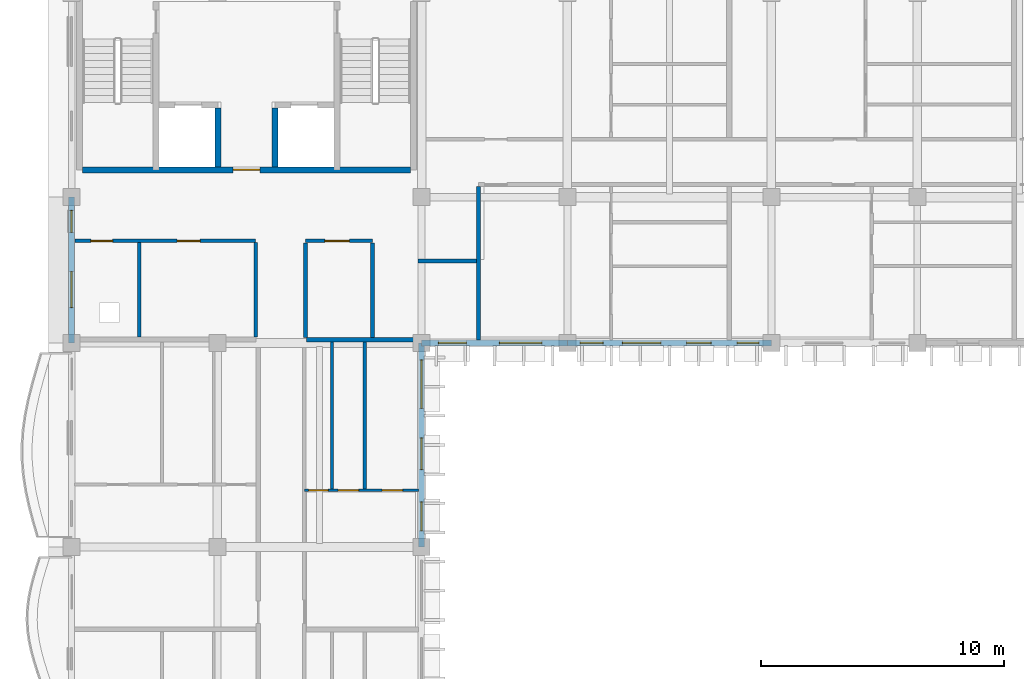
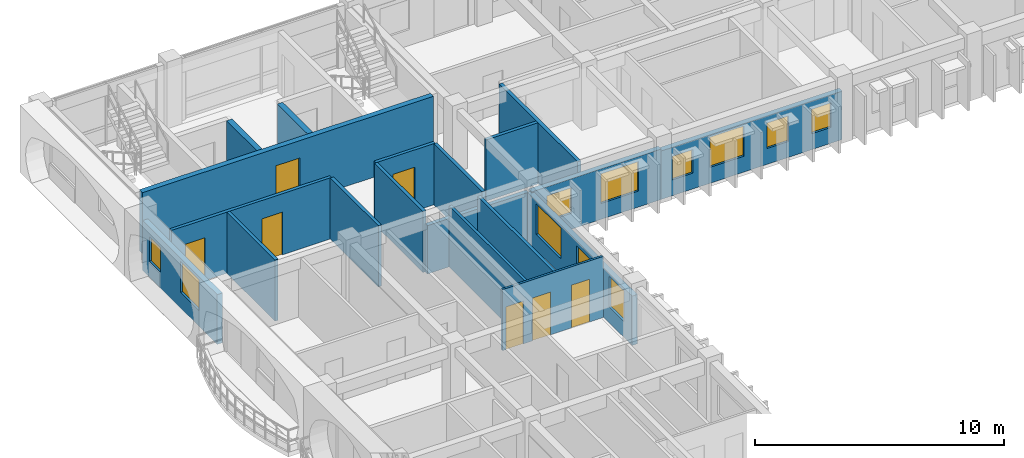
# One storey, part 50 of 101: 19 walls, 11 windows, 7 doors, 18 openings.
"""IFC4 building model written with IfcOpenShell, lengths in metres."""

from ifc_helpers import new_model, si_unit, direction, frame, frame_2d, origin, place, context, subcontext, project, spatial, rectangle, extrude, material, layer, layer_set, type_object, element, fill, save


model = new_model("IFC4")

# Units and contexts
model_context = context("Model", 3, precision=1e-05, world=origin(), true_north=direction((0.0, 1.0)))
body_context = subcontext(model_context, "Body", "Model", "MODEL_VIEW")
ifc_project = project(units=[si_unit("LENGTHUNIT", "METRE"), si_unit("AREAUNIT", "SQUARE_METRE"), si_unit("VOLUMEUNIT", "CUBIC_METRE"), si_unit("PLANEANGLEUNIT", "RADIAN"), si_unit("MASSUNIT", "GRAM", prefix="KILO"), si_unit("THERMODYNAMICTEMPERATUREUNIT", "KELVIN")], contexts=[model_context])

# Site, building, storey
site_placement = place(None, origin())
site = spatial("IfcSite", under=ifc_project, at=site_placement, CompositionType="ELEMENT")
building_placement = place(site_placement, origin())
building = spatial("IfcBuilding", under=site, at=building_placement, Name="Thalorik Housing Commons", CompositionType="ELEMENT")
storey_placement = place(building_placement, frame((0.0, 0.0, 8.10009765625)))
storey = spatial("IfcBuildingStorey", under=building, at=storey_placement, Name="L02", CompositionType="ELEMENT", Elevation=8.10009765625)

# Walls
ifc_material_1 = material(Name="Concrete C40/50", Category="concrete")
ifc_layer_1 = layer(ifc_material_1, 0.25, Name="Concrete C40/50", Category="concrete")
ifc_layer_set_1 = layer_set([ifc_layer_1], Name="Concrete C40/50")
wall_type_1 = type_object("IfcWallType", Name="ARC-WAL-CORE-250", PredefinedType="SHEAR", material=ifc_layer_set_1)
for number, where, z_axis, x_axis, name in (
    (1, (14.425048828125, 118.875, 0.0), (0.0, 0.0, 1.0), (0.0, -1.0, 0.0), "L02 Lift 1 Cheek Wall"),
    (2, (16.77490234375, 118.875, 0.0), (0.0, 0.0, 1.0), (0.0, -1.0, 0.0), "L02 Lift 2 Cheek Wall"),
):
    element("IfcWall", number, at=place(storey_placement, frame(where, z_axis=z_axis, x_axis=x_axis)), inside=storey, type_object=wall_type_1, Name=name, PredefinedType="SHEAR", context=body_context, shape_type="SweptSolid", body=[
        extrude(rectangle(XDim=2.425048828125, YDim=0.25, at=frame_2d((1.21240234375, 0.0))), origin(), (0.0, 0.0, 1.0), 3.0),
    ])

# Wall, opening, door
wall_1_placement = place(storey_placement, frame((8.85009765625, 116.324951171875, 0.0), z_axis=(0.0, 0.0, 1.0), x_axis=(1.0, 0.0, 0.0)))
wall_1 = element("IfcWall", 3, at=wall_1_placement, inside=storey, type_object=wall_type_1, Name="L02 Core A Spine Shear Wall", PredefinedType="SHEAR", context=body_context, shape_type="SweptSolid", body=[
    extrude(rectangle(XDim=13.5, YDim=0.25, at=frame_2d((6.75, 0.0))), origin(), (0.0, 0.0, 1.0), 3.0),
])
opening_1_placement = place(wall_1_placement, frame((6.199951171875, 0.0, 0.0)))
opening_1 = element("IfcOpeningElement", 4, at=opening_1_placement, cuts=wall_1, Name="Opening ID-0029", PredefinedType="OPENING", context=body_context, shape_type="SweptSolid", body=[
    extrude(rectangle(XDim=1.10009765625, YDim=2.14990234375, at=frame_2d((0.550048828125, 1.074951171875))), frame((0.0, 0.135009765625, 0.0), z_axis=(0.0, -1.0, 0.0), x_axis=(1.0, 0.0, 0.0)), (0.0, 0.0, 1.0), 0.27001953125),
])
ifc_material_2 = material(Name="Steel S355", Category="steel")
door_type_1 = type_object("IfcDoorType", Name="ARC-DR-FD60-1100", OperationType="NOTDEFINED", PredefinedType="DOOR", material=ifc_material_2)
door_1_placement = place(opening_1_placement, origin())
door_1 = element("IfcDoor", 5, at=door_1_placement, inside=storey, type_object=door_type_1, Name="L02 Core A Lobby Fire Door", OperationType="SINGLE_SWING_RIGHT", OverallHeight=2.14990234375, OverallWidth=1.10009765625, PredefinedType="DOOR", context=body_context, shape_type="SweptSolid", body=[
    extrude(rectangle(XDim=1.10009765625, YDim=2.14990234375, at=frame_2d((0.550048828125, 1.074951171875))), frame((0.0, 0.02490234375, 0.0), z_axis=(0.0, -1.0, 0.0), x_axis=(1.0, 0.0, 0.0)), (0.0, 0.0, 1.0), 0.050048828125),
])
fill(opening_1, door_1)

# Walls
ifc_material_3 = material(Name="Masonry fire-rated corridor wall", Category="masonry")
ifc_layer_2 = layer(ifc_material_3, 0.14990234375, Name="Masonry fire-rated corridor wall", Category="masonry")
ifc_layer_set_2 = layer_set([ifc_layer_2], Name="Masonry fire-rated corridor wall")
wall_type_2 = type_object("IfcWallType", Name="ARC-WAL-CORR-150", PredefinedType="PARTITIONING", material=ifc_layer_set_2)
wall_2_placement = place(storey_placement, frame((22.659912109375, 112.570068359375, 0.0), z_axis=(0.0, 0.0, 1.0), x_axis=(1.0, 0.0, 0.0)))
element("IfcWall", 6, at=wall_2_placement, inside=storey, type_object=wall_type_2, Name="L02 Block A Vestibule South Wall", PredefinedType="PARTITIONING", context=body_context, shape_type="SweptSolid", body=[
    extrude(rectangle(XDim=2.405517578125, YDim=0.14990234375, at=frame_2d((1.20263671875, 0.0))), origin(), (0.0, 0.0, 1.0), 3.0),
])
ifc_layer_3 = layer(ifc_material_3, 0.1650390625, Name="Masonry fire-rated corridor wall", Category="masonry")
ifc_layer_set_3 = layer_set([ifc_layer_3], Name="Masonry fire-rated corridor wall")
wall_type_3 = type_object("IfcWallType", Name="ARC-WAL-CORR-165", PredefinedType="PARTITIONING", material=ifc_layer_set_3)
wall_3_placement = place(storey_placement, frame((25.14990234375, 109.324462890625, 0.0), z_axis=(0.0, 0.0, 1.0), x_axis=(0.0, 1.0, 0.0)))
element("IfcWall", 7, at=wall_3_placement, inside=storey, type_object=wall_type_3, Name="L02 Block A Vestibule Cheek Wall", PredefinedType="PARTITIONING", context=body_context, shape_type="SweptSolid", body=[
    extrude(rectangle(XDim=6.31103515625, YDim=0.1650390625, at=frame_2d((3.155517578125, 0.0))), origin(), (0.0, 0.0, 1.0), 3.0),
])

# Wall, openings, windows
ifc_material_4 = material(Name="White precast concrete C40/50", Category="concrete")
ifc_layer_4 = layer(ifc_material_4, 0.2451171875, Name="White precast concrete C40/50", Category="concrete")
ifc_layer_set_4 = layer_set([ifc_layer_4], Name="White precast concrete C40/50")
wall_type_4 = type_object("IfcWallType", Name="ARC-WAL-EXT-245", PredefinedType="STANDARD", material=ifc_layer_set_4)
wall_4_placement = place(storey_placement, frame((22.800048828125, 109.199951171875, 0.0), z_axis=(0.0, 0.0, 1.0), x_axis=(1.0, 0.0, 0.0)))
wall_4 = element("IfcWall", 8, at=wall_4_placement, inside=storey, type_object=wall_type_4, Name="L02 Exterior Wall WAL-EXT-L02-A-0057", PredefinedType="STANDARD", context=body_context, shape_type="SweptSolid", body=[
    extrude(rectangle(XDim=6.0, YDim=0.2451171875, at=frame_2d((3.0, 0.0))), origin(), (0.0, 0.0, 1.0), 2.474853515625),
])
opening_2_placement = place(wall_4_placement, frame((0.695068359375, 0.0, 0.780029296875)))
opening_2 = element("IfcOpeningElement", 9, at=opening_2_placement, cuts=wall_4, Name="Opening W-45", PredefinedType="OPENING", context=body_context, shape_type="SweptSolid", body=[
    extrude(rectangle(XDim=1.14990234375, YDim=1.25, at=frame_2d((0.574951171875, 0.625))), frame((0.0, 0.132568359375, 0.0), z_axis=(0.0, -1.0, 0.0), x_axis=(1.0, 0.0, 0.0)), (0.0, 0.0, 1.0), 0.26513671875),
])
opening_3_placement = place(wall_4_placement, frame((3.205078125, 0.0, 0.780029296875)))
opening_3 = element("IfcOpeningElement", 10, at=opening_3_placement, cuts=wall_4, Name="Opening W-17", PredefinedType="OPENING", context=body_context, shape_type="SweptSolid", body=[
    extrude(rectangle(XDim=1.75, YDim=1.449951171875, at=frame_2d((0.875, 0.72509765625))), frame((0.0, 0.132568359375, 0.0), z_axis=(0.0, -1.0, 0.0), x_axis=(1.0, 0.0, 0.0)), (0.0, 0.0, 1.0), 0.26513671875),
])
ifc_material_5 = material(Name="Anodised aluminium and solar-control low-E glass", Category="aluminium")
window_type_1 = type_object("IfcWindowType", Name="ARC-WIN-17", PartitioningType="DOUBLE_PANEL_VERTICAL", PredefinedType="WINDOW", material=ifc_material_5)
window_1_placement = place(opening_3_placement, origin())
window_1 = element("IfcWindow", 11, at=window_1_placement, inside=storey, type_object=window_type_1, Name="L02 Facade Window 96", OverallHeight=1.449951171875, OverallWidth=1.75, PartitioningType="DOUBLE_PANEL_VERTICAL", PredefinedType="WINDOW", context=body_context, shape_type="SweptSolid", body=[
    extrude(rectangle(XDim=1.75, YDim=1.449951171875, at=frame_2d((0.875, 0.72509765625))), frame((0.0, 0.030029296875, 0.0), z_axis=(0.0, -1.0, 0.0), x_axis=(1.0, 0.0, 0.0)), (0.0, 0.0, 1.0), 0.06005859375),
])
fill(opening_3, window_1)
window_type_2 = type_object("IfcWindowType", Name="ARC-WIN-45", PartitioningType="SINGLE_PANEL", PredefinedType="WINDOW", material=ifc_material_5)
window_2_placement = place(opening_2_placement, origin())
window_2 = element("IfcWindow", 12, at=window_2_placement, inside=storey, type_object=window_type_2, Name="L02 Facade Window 95", OverallHeight=1.25, OverallWidth=1.14990234375, PartitioningType="SINGLE_PANEL", PredefinedType="WINDOW", context=body_context, shape_type="SweptSolid", body=[
    extrude(rectangle(XDim=1.14990234375, YDim=1.25, at=frame_2d((0.574951171875, 0.625))), frame((0.0, 0.030029296875, 0.0), z_axis=(0.0, -1.0, 0.0), x_axis=(1.0, 0.0, 0.0)), (0.0, 0.0, 1.0), 0.06005859375),
])
fill(opening_2, window_2)

wall_5_placement = place(storey_placement, frame((28.800048828125, 109.199951171875, 0.0), z_axis=(0.0, 0.0, 1.0), x_axis=(1.0, 0.0, 0.0)))
wall_5 = element("IfcWall", 13, at=wall_5_placement, inside=storey, type_object=wall_type_4, Name="L02 Exterior Wall WAL-EXT-L02-A-0058", PredefinedType="STANDARD", context=body_context, shape_type="SweptSolid", body=[
    extrude(rectangle(XDim=8.39990234375, YDim=0.2451171875, at=frame_2d((4.199951171875, 0.0))), origin(), (0.0, 0.0, 1.0), 2.375),
])
opening_4_placement = place(wall_5_placement, frame((0.5224609375, 0.0, 0.780029296875)))
opening_4 = element("IfcOpeningElement", 14, at=opening_4_placement, cuts=wall_5, Name="Opening W-43", PredefinedType="OPENING", context=body_context, shape_type="SweptSolid", body=[
    extrude(rectangle(XDim=0.949951171875, YDim=1.14990234375, at=frame_2d((0.47509765625, 0.574951171875))), frame((0.0, 0.132568359375, 0.0), z_axis=(0.0, -1.0, 0.0), x_axis=(1.0, 0.0, 0.0)), (0.0, 0.0, 1.0), 0.26513671875),
])
opening_5_placement = place(wall_5_placement, frame((2.263671875, 0.0, 0.780029296875)))
opening_5 = element("IfcOpeningElement", 15, at=opening_5_placement, cuts=wall_5, Name="Opening W-53", PredefinedType="OPENING", context=body_context, shape_type="SweptSolid", body=[
    extrude(rectangle(XDim=1.580078125, YDim=1.47998046875, at=frame_2d((0.7900390625, 0.739990234375))), frame((0.0, 0.132568359375, 0.0), z_axis=(0.0, -1.0, 0.0), x_axis=(1.0, 0.0, 0.0)), (0.0, 0.0, 1.0), 0.26513671875),
])
opening_6_placement = place(wall_5_placement, frame((4.9111328125, 0.0, 0.780029296875)))
opening_6 = element("IfcOpeningElement", 16, at=opening_6_placement, cuts=wall_5, Name="Opening W-02", PredefinedType="OPENING", context=body_context, shape_type="SweptSolid", body=[
    extrude(rectangle(XDim=1.0, YDim=1.25, at=frame_2d((0.5, 0.625))), frame((0.0, 0.132568359375, 0.0), z_axis=(0.0, -1.0, 0.0), x_axis=(1.0, 0.0, 0.0)), (0.0, 0.0, 1.0), 0.26513671875),
])
opening_7_placement = place(wall_5_placement, frame((6.985107421875, 0.0, 0.780029296875)))
opening_7 = element("IfcOpeningElement", 17, at=opening_7_placement, cuts=wall_5, Name="Opening W-01", PredefinedType="OPENING", context=body_context, shape_type="SweptSolid", body=[
    extrude(rectangle(XDim=0.89990234375, YDim=1.199951171875, at=frame_2d((0.449951171875, 0.60009765625))), frame((0.0, 0.132568359375, 0.0), z_axis=(0.0, -1.0, 0.0), x_axis=(1.0, 0.0, 0.0)), (0.0, 0.0, 1.0), 0.26513671875),
])
window_type_3 = type_object("IfcWindowType", Name="ARC-WIN-01", PartitioningType="SINGLE_PANEL", PredefinedType="WINDOW", material=ifc_material_5)
window_3_placement = place(opening_7_placement, origin())
window_3 = element("IfcWindow", 18, at=window_3_placement, inside=storey, type_object=window_type_3, Name="L02 Facade Window 100", OverallHeight=1.199951171875, OverallWidth=0.89990234375, PartitioningType="SINGLE_PANEL", PredefinedType="WINDOW", context=body_context, shape_type="SweptSolid", body=[
    extrude(rectangle(XDim=0.89990234375, YDim=1.199951171875, at=frame_2d((0.449951171875, 0.60009765625))), frame((0.0, 0.030029296875, 0.0), z_axis=(0.0, -1.0, 0.0), x_axis=(1.0, 0.0, 0.0)), (0.0, 0.0, 1.0), 0.06005859375),
])
fill(opening_7, window_3)
window_type_4 = type_object("IfcWindowType", Name="ARC-WIN-02", PartitioningType="SINGLE_PANEL", PredefinedType="WINDOW", material=ifc_material_5)
window_4_placement = place(opening_6_placement, origin())
window_4 = element("IfcWindow", 19, at=window_4_placement, inside=storey, type_object=window_type_4, Name="L02 Facade Window 99", OverallHeight=1.25, OverallWidth=1.0, PartitioningType="SINGLE_PANEL", PredefinedType="WINDOW", context=body_context, shape_type="SweptSolid", body=[
    extrude(rectangle(XDim=1.0, YDim=1.25, at=frame_2d((0.5, 0.625))), frame((0.0, 0.030029296875, 0.0), z_axis=(0.0, -1.0, 0.0), x_axis=(1.0, 0.0, 0.0)), (0.0, 0.0, 1.0), 0.06005859375),
])
fill(opening_6, window_4)
window_type_5 = type_object("IfcWindowType", Name="ARC-WIN-43", PartitioningType="SINGLE_PANEL", PredefinedType="WINDOW", material=ifc_material_5)
window_5_placement = place(opening_4_placement, origin())
window_5 = element("IfcWindow", 20, at=window_5_placement, inside=storey, type_object=window_type_5, Name="L02 Facade Window 97", OverallHeight=1.14990234375, OverallWidth=0.949951171875, PartitioningType="SINGLE_PANEL", PredefinedType="WINDOW", context=body_context, shape_type="SweptSolid", body=[
    extrude(rectangle(XDim=0.949951171875, YDim=1.14990234375, at=frame_2d((0.47509765625, 0.574951171875))), frame((0.0, 0.030029296875, 0.0), z_axis=(0.0, -1.0, 0.0), x_axis=(1.0, 0.0, 0.0)), (0.0, 0.0, 1.0), 0.06005859375),
])
fill(opening_4, window_5)
window_type_6 = type_object("IfcWindowType", Name="ARC-WIN-53", PartitioningType="SINGLE_PANEL", PredefinedType="WINDOW", material=ifc_material_5)
window_6_placement = place(opening_5_placement, origin())
window_6 = element("IfcWindow", 21, at=window_6_placement, inside=storey, type_object=window_type_6, Name="L02 Facade Window 98", OverallHeight=1.47998046875, OverallWidth=1.580078125, PartitioningType="SINGLE_PANEL", PredefinedType="WINDOW", context=body_context, shape_type="SweptSolid", body=[
    extrude(rectangle(XDim=1.580078125, YDim=1.47998046875, at=frame_2d((0.7900390625, 0.739990234375))), frame((0.0, 0.030029296875, 0.0), z_axis=(0.0, -1.0, 0.0), x_axis=(1.0, 0.0, 0.0)), (0.0, 0.0, 1.0), 0.06005859375),
])
fill(opening_5, window_6)

wall_6_placement = place(storey_placement, frame((8.39990234375, 115.199951171875, 0.0), z_axis=(0.0, 0.0, 1.0), x_axis=(0.0, -1.0, 0.0)))
wall_6 = element("IfcWall", 22, at=wall_6_placement, inside=storey, type_object=wall_type_4, Name="L02 Exterior Wall WAL-EXT-L02-A-0072", PredefinedType="STANDARD", context=body_context, shape_type="SweptSolid", body=[
    extrude(rectangle(XDim=6.0, YDim=0.2451171875, at=frame_2d((3.0, 0.0))), origin(), (0.0, 0.0, 1.0), 2.44482421875),
])
opening_8_placement = place(wall_6_placement, frame((0.544921875, 0.0, 0.780029296875)))
opening_8 = element("IfcOpeningElement", 23, at=opening_8_placement, cuts=wall_6, Name="Opening W-01", PredefinedType="OPENING", context=body_context, shape_type="SweptSolid", body=[
    extrude(rectangle(XDim=0.89990234375, YDim=1.199951171875, at=frame_2d((0.449951171875, 0.60009765625))), frame((0.0, 0.132568359375, 0.0), z_axis=(0.0, -1.0, 0.0), x_axis=(1.0, 0.0, 0.0)), (0.0, 0.0, 1.0), 0.26513671875),
])
opening_9_placement = place(wall_6_placement, frame((3.06494140625, 0.0, 0.780029296875)))
opening_9 = element("IfcOpeningElement", 24, at=opening_9_placement, cuts=wall_6, Name="Opening W-51", PredefinedType="OPENING", context=body_context, shape_type="SweptSolid", body=[
    extrude(rectangle(XDim=1.47998046875, YDim=1.52001953125, at=frame_2d((0.739990234375, 0.760009765625))), frame((0.0, 0.132568359375, 0.0), z_axis=(0.0, -1.0, 0.0), x_axis=(1.0, 0.0, 0.0)), (0.0, 0.0, 1.0), 0.26513671875),
])
window_7_placement = place(opening_8_placement, origin())
window_7 = element("IfcWindow", 25, at=window_7_placement, inside=storey, type_object=window_type_3, Name="L02 Facade Window 124", OverallHeight=1.199951171875, OverallWidth=0.89990234375, PartitioningType="SINGLE_PANEL", PredefinedType="WINDOW", context=body_context, shape_type="SweptSolid", body=[
    extrude(rectangle(XDim=0.89990234375, YDim=1.199951171875, at=frame_2d((0.449951171875, 0.60009765625))), frame((0.0, 0.030029296875, 0.0), z_axis=(0.0, -1.0, 0.0), x_axis=(1.0, 0.0, 0.0)), (0.0, 0.0, 1.0), 0.06005859375),
])
fill(opening_8, window_7)
window_type_7 = type_object("IfcWindowType", Name="ARC-WIN-51", PartitioningType="SINGLE_PANEL", PredefinedType="WINDOW", material=ifc_material_5)
window_8_placement = place(opening_9_placement, origin())
window_8 = element("IfcWindow", 26, at=window_8_placement, inside=storey, type_object=window_type_7, Name="L02 Facade Window 125", OverallHeight=1.52001953125, OverallWidth=1.47998046875, PartitioningType="SINGLE_PANEL", PredefinedType="WINDOW", context=body_context, shape_type="SweptSolid", body=[
    extrude(rectangle(XDim=1.47998046875, YDim=1.52001953125, at=frame_2d((0.739990234375, 0.760009765625))), frame((0.0, 0.030029296875, 0.0), z_axis=(0.0, -1.0, 0.0), x_axis=(1.0, 0.0, 0.0)), (0.0, 0.0, 1.0), 0.06005859375),
])
fill(opening_9, window_8)

wall_7_placement = place(storey_placement, frame((22.800048828125, 100.800048828125, 0.0), z_axis=(0.0, 0.0, 1.0), x_axis=(0.0, 1.0, 0.0)))
wall_7 = element("IfcWall", 27, at=wall_7_placement, inside=storey, type_object=wall_type_4, Name="L02 Exterior Wall WAL-EXT-L02-A-0084", PredefinedType="STANDARD", context=body_context, shape_type="SweptSolid", body=[
    extrude(rectangle(XDim=8.39990234375, YDim=0.2451171875, at=frame_2d((4.199951171875, 0.0))), origin(), (0.0, 0.0, 1.0), 2.4248046875),
])
opening_10_placement = place(wall_7_placement, frame((0.6630859375, 0.0, 0.780029296875)))
opening_10 = element("IfcOpeningElement", 28, at=opening_10_placement, cuts=wall_7, Name="Opening W-05", PredefinedType="OPENING", context=body_context, shape_type="SweptSolid", body=[
    extrude(rectangle(XDim=1.199951171875, YDim=1.5, at=frame_2d((0.60009765625, 0.75))), frame((0.0, 0.132568359375, 0.0), z_axis=(0.0, -1.0, 0.0), x_axis=(1.0, 0.0, 0.0)), (0.0, 0.0, 1.0), 0.26513671875),
])
opening_11_placement = place(wall_7_placement, frame((3.189697265625, 0.0, 0.780029296875)))
opening_11 = element("IfcOpeningElement", 29, at=opening_11_placement, cuts=wall_7, Name="Opening W-06", PredefinedType="OPENING", context=body_context, shape_type="SweptSolid", body=[
    extrude(rectangle(XDim=1.300048828125, YDim=1.39990234375, at=frame_2d((0.64990234375, 0.699951171875))), frame((0.0, 0.132568359375, 0.0), z_axis=(0.0, -1.0, 0.0), x_axis=(1.0, 0.0, 0.0)), (0.0, 0.0, 1.0), 0.26513671875),
])
opening_12_placement = place(wall_7_placement, frame((5.70654296875, 0.0, 0.780029296875)))
opening_12 = element("IfcOpeningElement", 30, at=opening_12_placement, cuts=wall_7, Name="Opening W-23", PredefinedType="OPENING", context=body_context, shape_type="SweptSolid", body=[
    extrude(rectangle(XDim=2.0, YDim=1.5, at=frame_2d((1.0, 0.75))), frame((0.0, 0.132568359375, 0.0), z_axis=(0.0, -1.0, 0.0), x_axis=(1.0, 0.0, 0.0)), (0.0, 0.0, 1.0), 0.26513671875),
])
window_type_8 = type_object("IfcWindowType", Name="ARC-WIN-05", PartitioningType="SINGLE_PANEL", PredefinedType="WINDOW", material=ifc_material_5)
window_9_placement = place(opening_10_placement, origin())
window_9 = element("IfcWindow", 31, at=window_9_placement, inside=storey, type_object=window_type_8, Name="L02 Facade Window 150", OverallHeight=1.5, OverallWidth=1.199951171875, PartitioningType="SINGLE_PANEL", PredefinedType="WINDOW", context=body_context, shape_type="SweptSolid", body=[
    extrude(rectangle(XDim=1.199951171875, YDim=1.5, at=frame_2d((0.60009765625, 0.75))), frame((0.0, 0.030029296875, 0.0), z_axis=(0.0, -1.0, 0.0), x_axis=(1.0, 0.0, 0.0)), (0.0, 0.0, 1.0), 0.06005859375),
])
fill(opening_10, window_9)
window_type_9 = type_object("IfcWindowType", Name="ARC-WIN-06", PartitioningType="SINGLE_PANEL", PredefinedType="WINDOW", material=ifc_material_5)
window_10_placement = place(opening_11_placement, origin())
window_10 = element("IfcWindow", 32, at=window_10_placement, inside=storey, type_object=window_type_9, Name="L02 Facade Window 151", OverallHeight=1.39990234375, OverallWidth=1.300048828125, PartitioningType="SINGLE_PANEL", PredefinedType="WINDOW", context=body_context, shape_type="SweptSolid", body=[
    extrude(rectangle(XDim=1.300048828125, YDim=1.39990234375, at=frame_2d((0.64990234375, 0.699951171875))), frame((0.0, 0.030029296875, 0.0), z_axis=(0.0, -1.0, 0.0), x_axis=(1.0, 0.0, 0.0)), (0.0, 0.0, 1.0), 0.06005859375),
])
fill(opening_11, window_10)
window_type_10 = type_object("IfcWindowType", Name="ARC-WIN-23", PartitioningType="DOUBLE_PANEL_VERTICAL", PredefinedType="WINDOW", material=ifc_material_5)
window_11_placement = place(opening_12_placement, origin())
window_11 = element("IfcWindow", 33, at=window_11_placement, inside=storey, type_object=window_type_10, Name="L02 Facade Window 152", OverallHeight=1.5, OverallWidth=2.0, PartitioningType="DOUBLE_PANEL_VERTICAL", PredefinedType="WINDOW", context=body_context, shape_type="SweptSolid", body=[
    extrude(rectangle(XDim=2.0, YDim=1.5, at=frame_2d((1.0, 0.75))), frame((0.0, 0.030029296875, 0.0), z_axis=(0.0, -1.0, 0.0), x_axis=(1.0, 0.0, 0.0)), (0.0, 0.0, 1.0), 0.06005859375),
])
fill(opening_12, window_11)

# Wall, openings, doors
ifc_material_6 = material(Name="Gypsum light stud partition", Category="masonry")
ifc_layer_5 = layer(ifc_material_6, 0.10009765625, Name="Gypsum light stud partition", Category="masonry")
ifc_layer_set_5 = layer_set([ifc_layer_5], Name="Gypsum light stud partition")
wall_type_5 = type_object("IfcWallType", Name="ARC-WAL-PART-100", PredefinedType="PARTITIONING", material=ifc_layer_set_5)
wall_8_placement = place(storey_placement, frame((17.97998046875, 103.136474609375, 0.0), z_axis=(0.0, 0.0, 1.0), x_axis=(1.0, 0.0, 0.0)))
wall_8 = element("IfcWall", 34, at=wall_8_placement, inside=storey, type_object=wall_type_5, Name="L02 Unit 3B Spine Partition", PredefinedType="PARTITIONING", context=body_context, shape_type="SweptSolid", body=[
    extrude(rectangle(XDim=4.695556640625, YDim=0.10009765625, at=frame_2d((2.34765625, 0.0))), origin(), (0.0, 0.0, 1.0), 3.0),
])
opening_13_placement = place(wall_8_placement, frame((0.171142578125, 0.0, 0.0)))
opening_13 = element("IfcOpeningElement", 35, at=opening_13_placement, cuts=wall_8, Name="Opening ID-0492", PredefinedType="OPENING", context=body_context, shape_type="SweptSolid", body=[
    extrude(rectangle(XDim=0.800048828125, YDim=2.10009765625, at=frame_2d((0.39990234375, 1.050048828125))), frame((0.0, 0.06005859375, 0.0), z_axis=(0.0, -1.0, 0.0), x_axis=(1.0, 0.0, 0.0)), (0.0, 0.0, 1.0), 0.1201171875),
])
opening_14_placement = place(wall_8_placement, frame((1.3837890625, 0.0, 0.0)))
opening_14 = element("IfcOpeningElement", 36, at=opening_14_placement, cuts=wall_8, Name="Opening ID-0493", PredefinedType="OPENING", context=body_context, shape_type="SweptSolid", body=[
    extrude(rectangle(XDim=0.85009765625, YDim=2.10009765625, at=frame_2d((0.425048828125, 1.050048828125))), frame((0.0, 0.06005859375, 0.0), z_axis=(0.0, -1.0, 0.0), x_axis=(1.0, 0.0, 0.0)), (0.0, 0.0, 1.0), 0.1201171875),
])
opening_15_placement = place(wall_8_placement, frame((3.192626953125, 0.0, 0.0)))
opening_15 = element("IfcOpeningElement", 37, at=opening_15_placement, cuts=wall_8, Name="Opening ID-0494", PredefinedType="OPENING", context=body_context, shape_type="SweptSolid", body=[
    extrude(rectangle(XDim=0.85009765625, YDim=2.10009765625, at=frame_2d((0.425048828125, 1.050048828125))), frame((0.0, 0.06005859375, 0.0), z_axis=(0.0, -1.0, 0.0), x_axis=(1.0, 0.0, 0.0)), (0.0, 0.0, 1.0), 0.1201171875),
])
ifc_material_7 = material(Name="Moisture-resistant timber", Category="wood")
door_type_2 = type_object("IfcDoorType", Name="ARC-DR-INT-800", OperationType="NOTDEFINED", PredefinedType="DOOR", material=ifc_material_7)
door_2_placement = place(opening_13_placement, origin())
door_2 = element("IfcDoor", 38, at=door_2_placement, inside=storey, type_object=door_type_2, Name="L02 Flat Bathroom Door", OperationType="SINGLE_SWING_LEFT", OverallHeight=2.10009765625, OverallWidth=0.800048828125, PredefinedType="DOOR", context=body_context, shape_type="SweptSolid", body=[
    extrude(rectangle(XDim=0.800048828125, YDim=2.10009765625, at=frame_2d((0.39990234375, 1.050048828125))), frame((0.0, 0.02490234375, 0.0), z_axis=(0.0, -1.0, 0.0), x_axis=(1.0, 0.0, 0.0)), (0.0, 0.0, 1.0), 0.050048828125),
])
fill(opening_13, door_2)
ifc_material_8 = material(Name="Engineered oak timber", Category="wood")
door_type_3 = type_object("IfcDoorType", Name="ARC-DR-INT-850", OperationType="NOTDEFINED", PredefinedType="DOOR", material=ifc_material_8)
door_3_placement = place(opening_14_placement, origin())
door_3 = element("IfcDoor", 39, at=door_3_placement, inside=storey, type_object=door_type_3, Name="L02 Galley Kitchen Door", OperationType="SINGLE_SWING_RIGHT", OverallHeight=2.10009765625, OverallWidth=0.85009765625, PredefinedType="DOOR", context=body_context, shape_type="SweptSolid", body=[
    extrude(rectangle(XDim=0.85009765625, YDim=2.10009765625, at=frame_2d((0.425048828125, 1.050048828125))), frame((0.0, 0.02490234375, 0.0), z_axis=(0.0, -1.0, 0.0), x_axis=(1.0, 0.0, 0.0)), (0.0, 0.0, 1.0), 0.050048828125),
])
fill(opening_14, door_3)
door_4_placement = place(opening_15_placement, origin())
door_4 = element("IfcDoor", 40, at=door_4_placement, inside=storey, type_object=door_type_3, Name="L02 Double Bedroom Door", OperationType="SINGLE_SWING_LEFT", OverallHeight=2.10009765625, OverallWidth=0.85009765625, PredefinedType="DOOR", context=body_context, shape_type="SweptSolid", body=[
    extrude(rectangle(XDim=0.85009765625, YDim=2.10009765625, at=frame_2d((0.425048828125, 1.050048828125))), frame((0.0, 0.02490234375, 0.0), z_axis=(0.0, -1.0, 0.0), x_axis=(1.0, 0.0, 0.0)), (0.0, 0.0, 1.0), 0.050048828125),
])
fill(opening_15, door_4)

# Walls
ifc_material_9 = material(Name="Gypsum acoustic stud partition", Category="masonry")
ifc_layer_6 = layer(ifc_material_9, 0.125, Name="Gypsum acoustic stud partition", Category="masonry")
ifc_layer_set_6 = layer_set([ifc_layer_6], Name="Gypsum acoustic stud partition")
wall_type_6 = type_object("IfcWallType", Name="ARC-WAL-PART-125", PredefinedType="PARTITIONING", material=ifc_layer_set_6)
wall_9_placement = place(storey_placement, frame((19.122314453125, 103.1884765625, 0.0), z_axis=(0.0, 0.0, 1.0), x_axis=(0.0, 1.0, 0.0)))
element("IfcWall", 41, at=wall_9_placement, inside=storey, type_object=wall_type_6, Name="L02 Unit 3B Wet Wall", PredefinedType="PARTITIONING", context=body_context, shape_type="SweptSolid", body=[
    extrude(rectangle(XDim=6.05712890625, YDim=0.125, at=frame_2d((3.028564453125, 0.0))), origin(), (0.0, 0.0, 1.0), 3.0),
])
ifc_material_10 = material(Name="Ceramic masonry partition wall", Category="masonry")
ifc_layer_7 = layer(ifc_material_10, 0.139892578125, Name="Ceramic masonry partition wall", Category="masonry")
ifc_layer_set_7 = layer_set([ifc_layer_7], Name="Ceramic masonry partition wall")
wall_type_7 = type_object("IfcWallType", Name="ARC-WAL-PART-140", PredefinedType="PARTITIONING", material=ifc_layer_set_7)
wall_10_placement = place(storey_placement, frame((20.455078125, 103.1884765625, 0.0), z_axis=(0.0, 0.0, 1.0), x_axis=(0.0, 1.0, 0.0)))
element("IfcWall", 42, at=wall_10_placement, inside=storey, type_object=wall_type_7, Name="L02 Unit 3B Bedroom Partition", PredefinedType="PARTITIONING", context=body_context, shape_type="SweptSolid", body=[
    extrude(rectangle(XDim=6.05712890625, YDim=0.139892578125, at=frame_2d((3.028564453125, 0.0))), origin(), (0.0, 0.0, 1.0), 3.0),
])
ifc_layer_8 = layer(ifc_material_10, 0.14794921875, Name="Ceramic masonry partition wall", Category="masonry")
ifc_layer_set_8 = layer_set([ifc_layer_8], Name="Ceramic masonry partition wall")
wall_type_8 = type_object("IfcWallType", Name="ARC-WAL-PART-150", PredefinedType="PARTITIONING", material=ifc_layer_set_8)
for number, where, z_axis, x_axis, name in (
    (43, (11.175048828125, 113.323974609375, 0.0), (0.0, 0.0, 1.0), (0.0, -1.0, 0.0), "Riser Wall"),
    (44, (15.97509765625, 113.323974609375, 0.0), (0.0, 0.0, 1.0), (0.0, -1.0, 0.0), "Core Stem West Cheek Wall"),
):
    element("IfcWall", number, at=place(storey_placement, frame(where, z_axis=z_axis, x_axis=x_axis)), inside=storey, type_object=wall_type_8, Name=name, PredefinedType="PARTITIONING", context=body_context, shape_type="SweptSolid", body=[
        extrude(rectangle(XDim=3.8720703125, YDim=0.14794921875, at=frame_2d((1.93603515625, 0.0))), origin(), (0.0, 0.0, 1.0), 3.0),
    ])
for number, where, z_axis, x_axis, name in (
    (45, (18.02490234375, 113.323974609375, 0.0), (0.0, 0.0, 1.0), (0.0, -1.0, 0.0), "Core Stem East Cheek Wall"),
    (46, (20.780029296875, 113.323974609375, 0.0), (0.0, 0.0, 1.0), (0.0, -1.0, 0.0), "Core East Enclosing Wall"),
):
    element("IfcWall", number, at=place(storey_placement, frame(where, z_axis=z_axis, x_axis=x_axis)), inside=storey, type_object=wall_type_8, Name=name, PredefinedType="PARTITIONING", context=body_context, shape_type="SweptSolid", body=[
        extrude(rectangle(XDim=3.889404296875, YDim=0.14794921875, at=frame_2d((1.94482421875, 0.0))), origin(), (0.0, 0.0, 1.0), 3.0),
    ])

# Wall, openings, doors
wall_11_placement = place(storey_placement, frame((8.5400390625, 113.39990234375, 0.0), z_axis=(0.0, 0.0, 1.0), x_axis=(1.0, 0.0, 0.0)))
wall_11 = element("IfcWall", 47, at=wall_11_placement, inside=storey, type_object=wall_type_8, Name="L02 Core A West Corridor Partition", PredefinedType="PARTITIONING", context=body_context, shape_type="SweptSolid", body=[
    extrude(rectangle(XDim=7.43505859375, YDim=0.14794921875, at=frame_2d((3.717529296875, 0.0))), origin(), (0.0, 0.0, 1.0), 3.0),
])
opening_16_placement = place(wall_11_placement, frame((0.64990234375, 0.0, 0.0)))
opening_16 = element("IfcOpeningElement", 48, at=opening_16_placement, cuts=wall_11, Name="Opening ID-0030", PredefinedType="OPENING", context=body_context, shape_type="SweptSolid", body=[
    extrude(rectangle(XDim=0.89990234375, YDim=2.10009765625, at=frame_2d((0.449951171875, 1.050048828125))), frame((0.0, 0.083984375, 0.0), z_axis=(0.0, -1.0, 0.0), x_axis=(1.0, 0.0, 0.0)), (0.0, 0.0, 1.0), 0.16796875),
])
opening_17_placement = place(wall_11_placement, frame((4.199951171875, 0.0, 0.0)))
opening_17 = element("IfcOpeningElement", 49, at=opening_17_placement, cuts=wall_11, Name="Opening ID-0031", PredefinedType="OPENING", context=body_context, shape_type="SweptSolid", body=[
    extrude(rectangle(XDim=0.949951171875, YDim=2.10009765625, at=frame_2d((0.47509765625, 1.050048828125))), frame((0.0, 0.083984375, 0.0), z_axis=(0.0, -1.0, 0.0), x_axis=(1.0, 0.0, 0.0)), (0.0, 0.0, 1.0), 0.16796875),
])
door_type_4 = type_object("IfcDoorType", Name="ARC-DR-FD60-900", OperationType="NOTDEFINED", PredefinedType="DOOR", material=ifc_material_2)
door_5_placement = place(opening_16_placement, origin())
door_5 = element("IfcDoor", 50, at=door_5_placement, inside=storey, type_object=door_type_4, Name="Electrical Riser Door", OperationType="SINGLE_SWING_LEFT", OverallHeight=2.10009765625, OverallWidth=0.89990234375, PredefinedType="DOOR", context=body_context, shape_type="SweptSolid", body=[
    extrude(rectangle(XDim=0.89990234375, YDim=2.10009765625, at=frame_2d((0.449951171875, 1.050048828125))), frame((0.0, 0.02490234375, 0.0), z_axis=(0.0, -1.0, 0.0), x_axis=(1.0, 0.0, 0.0)), (0.0, 0.0, 1.0), 0.050048828125),
])
fill(opening_16, door_5)
door_type_5 = type_object("IfcDoorType", Name="ARC-DR-INT-950", OperationType="NOTDEFINED", PredefinedType="DOOR", material=ifc_material_8)
door_6_placement = place(opening_17_placement, origin())
door_6 = element("IfcDoor", 51, at=door_6_placement, inside=storey, type_object=door_type_5, Name="Accessible Bathroom Door", OperationType="SINGLE_SWING_RIGHT", OverallHeight=2.10009765625, OverallWidth=0.949951171875, PredefinedType="DOOR", context=body_context, shape_type="SweptSolid", body=[
    extrude(rectangle(XDim=0.949951171875, YDim=2.10009765625, at=frame_2d((0.47509765625, 1.050048828125))), frame((0.0, 0.02490234375, 0.0), z_axis=(0.0, -1.0, 0.0), x_axis=(1.0, 0.0, 0.0)), (0.0, 0.0, 1.0), 0.050048828125),
])
fill(opening_17, door_6)

# Wall, opening, door
wall_12_placement = place(storey_placement, frame((18.02490234375, 113.39990234375, 0.0), z_axis=(0.0, 0.0, 1.0), x_axis=(1.0, 0.0, 0.0)))
wall_12 = element("IfcWall", 52, at=wall_12_placement, inside=storey, type_object=wall_type_8, Name="L02 Core A East Corridor Partition", PredefinedType="PARTITIONING", context=body_context, shape_type="SweptSolid", body=[
    extrude(rectangle(XDim=2.755126953125, YDim=0.14794921875, at=frame_2d((1.37744140625, 0.0))), origin(), (0.0, 0.0, 1.0), 3.0),
])
opening_18_placement = place(wall_12_placement, frame((0.800048828125, 0.0, 0.0)))
opening_18 = element("IfcOpeningElement", 53, at=opening_18_placement, cuts=wall_12, Name="Opening ID-0032", PredefinedType="OPENING", context=body_context, shape_type="SweptSolid", body=[
    extrude(rectangle(XDim=1.0, YDim=2.14990234375, at=frame_2d((0.5, 1.074951171875))), frame((0.0, 0.083984375, 0.0), z_axis=(0.0, -1.0, 0.0), x_axis=(1.0, 0.0, 0.0)), (0.0, 0.0, 1.0), 0.16796875),
])
door_type_6 = type_object("IfcDoorType", Name="ARC-DR-FD60-1000", OperationType="NOTDEFINED", PredefinedType="DOOR", material=ifc_material_2)
door_7_placement = place(opening_18_placement, origin())
door_7 = element("IfcDoor", 54, at=door_7_placement, inside=storey, type_object=door_type_6, Name="Core Hub Room Door", OperationType="SINGLE_SWING_LEFT", OverallHeight=2.14990234375, OverallWidth=1.0, PredefinedType="DOOR", context=body_context, shape_type="SweptSolid", body=[
    extrude(rectangle(XDim=1.0, YDim=2.14990234375, at=frame_2d((0.5, 1.074951171875))), frame((0.0, 0.02490234375, 0.0), z_axis=(0.0, -1.0, 0.0), x_axis=(1.0, 0.0, 0.0)), (0.0, 0.0, 1.0), 0.050048828125),
])
fill(opening_18, door_7)

# Wall
ifc_material_11 = material(Name="Masonry acoustic blockwork wall", Category="masonry")
ifc_layer_9 = layer(ifc_material_11, 0.18505859375, Name="Masonry acoustic blockwork wall", Category="masonry")
ifc_layer_set_9 = layer_set([ifc_layer_9], Name="Masonry acoustic blockwork wall")
wall_type_9 = type_object("IfcWallType", Name="ARC-WAL-PARTY-185", PredefinedType="PARTITIONING", material=ifc_layer_set_9)
wall_13_placement = place(storey_placement, frame((18.056884765625, 109.340087890625, 0.0), z_axis=(0.0, 0.0, 1.0), x_axis=(1.0, 0.0, 0.0)))
element("IfcWall", 55, at=wall_13_placement, inside=storey, type_object=wall_type_9, Name="L02 Core End Wall B", PredefinedType="PARTITIONING", context=body_context, shape_type="SweptSolid", body=[
    extrude(rectangle(XDim=4.68310546875, YDim=0.18505859375, at=frame_2d((2.341552734375, 0.0))), origin(), (0.0, 0.0, 1.0), 2.375),
])

save(model, "model.ifc")
